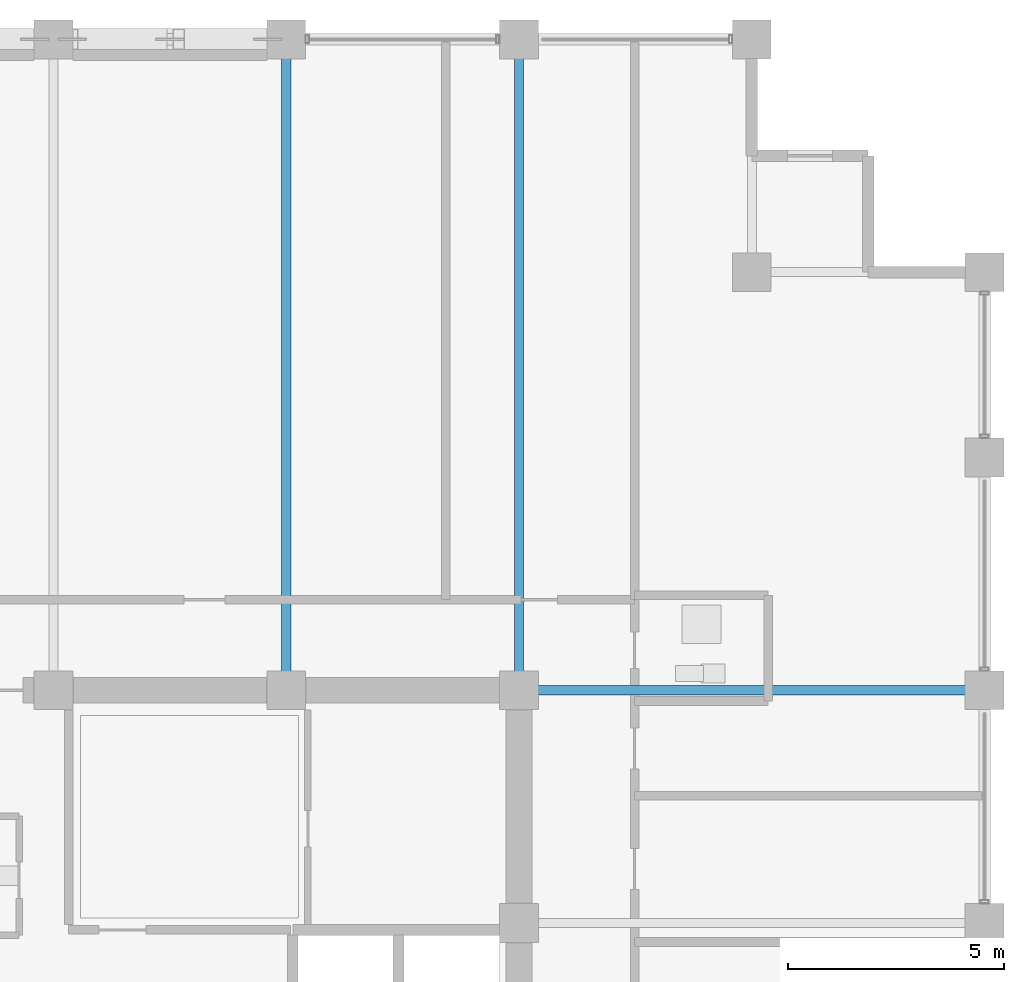
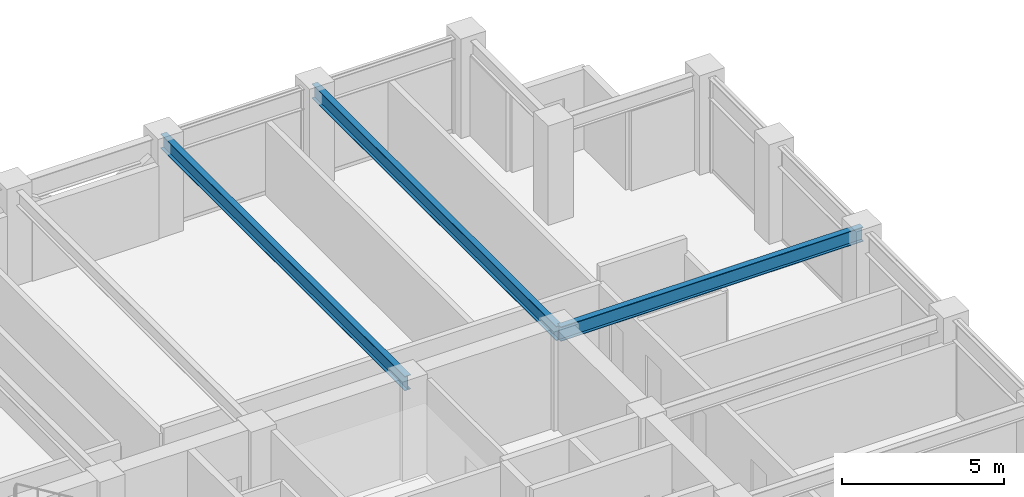
# One storey, part 22 of 32: 3 beams.
"""IFC4 building model written with IfcOpenShell, lengths in metres."""

from ifc_helpers import new_model, si_unit, direction, frame, origin, origin_2d, place, context, subcontext, project, spatial, i_section, extrude, material, material_profile, profile_set, type_object, element, save


model = new_model("IFC4")

# Units and contexts
model_context = context("Model", 3, precision=1e-05, world=origin(), true_north=direction((0.0, 1.0)))
body_context = subcontext(model_context, "Body", "Model", "MODEL_VIEW")
ifc_project = project(units=[si_unit("LENGTHUNIT", "METRE"), si_unit("AREAUNIT", "SQUARE_METRE"), si_unit("VOLUMEUNIT", "CUBIC_METRE"), si_unit("PLANEANGLEUNIT", "RADIAN"), si_unit("MASSUNIT", "GRAM", prefix="KILO")], contexts=[model_context])

# Site, building, storey
site_placement = place(None, origin())
site = spatial("IfcSite", under=ifc_project, at=site_placement, CompositionType="ELEMENT")
building_placement = place(site_placement, origin())
building = spatial("IfcBuilding", under=site, at=building_placement, Name="Surkhivell Harbour Commons", CompositionType="ELEMENT")
storey_placement = place(building_placement, frame((0.0, 0.0, 204.75)))
storey = spatial("IfcBuildingStorey", under=building, at=storey_placement, Name="L53", CompositionType="ELEMENT", Elevation=204.75)

# Beams
ifc_material = material(Name="Steel S355", Category="steel")
ifc_material_profile = material_profile(ifc_material, i_section(OverallWidth=0.2119140625, OverallDepth=0.5439453125, WebThickness=0.0126953125, FlangeThickness=0.021240234375, at=origin_2d()), Name="UB533x210x122")
ifc_profile_set = profile_set([ifc_material_profile], Name="Steel S355")
beam_type = type_object("IfcBeamType", Name="BM-GRD-533A", PredefinedType="BEAM", material=ifc_profile_set)
for number, where, z_axis, x_axis, name in (
    (1, (5.39990234375, 10.800048828125, 3.298095703125), (0.0, 1.0, 0.0), (-1.0, 0.0, 0.0), "L53 Floor Girder (5.4,10.8)"),
    (2, (10.800048828125, 10.800048828125, 3.298095703125), (0.0, 1.0, 0.0), (-1.0, 0.0, 0.0), "L53 Floor Girder (10.8,10.8)"),
):
    element("IfcBeam", number, at=place(storey_placement, frame(where, z_axis=z_axis, x_axis=x_axis)), inside=storey, type_object=beam_type, Name=name, PredefinedType="BEAM", context=body_context, shape_type="SweptSolid", body=[
        extrude(i_section(OverallWidth=0.2119140625, OverallDepth=0.5439453125, WebThickness=0.0126953125, FlangeThickness=0.021240234375, at=origin_2d()), origin(), (0.0, 0.0, 1.0), 15.099853515625),
    ])
beam_placement = place(storey_placement, frame((10.800048828125, 10.800048828125, 3.298095703125), z_axis=(1.0, 0.0, 0.0), x_axis=(0.0, 1.0, 0.0)))
element("IfcBeam", 3, at=beam_placement, inside=storey, type_object=beam_type, Name="L53 Floor Girder (10.8,10.8)", PredefinedType="BEAM", context=body_context, shape_type="SweptSolid", body=[
    extrude(i_section(OverallWidth=0.2119140625, OverallDepth=0.5439453125, WebThickness=0.0126953125, FlangeThickness=0.021240234375, at=origin_2d()), origin(), (0.0, 0.0, 1.0), 10.800048828125),
])

save(model, "model.ifc")
